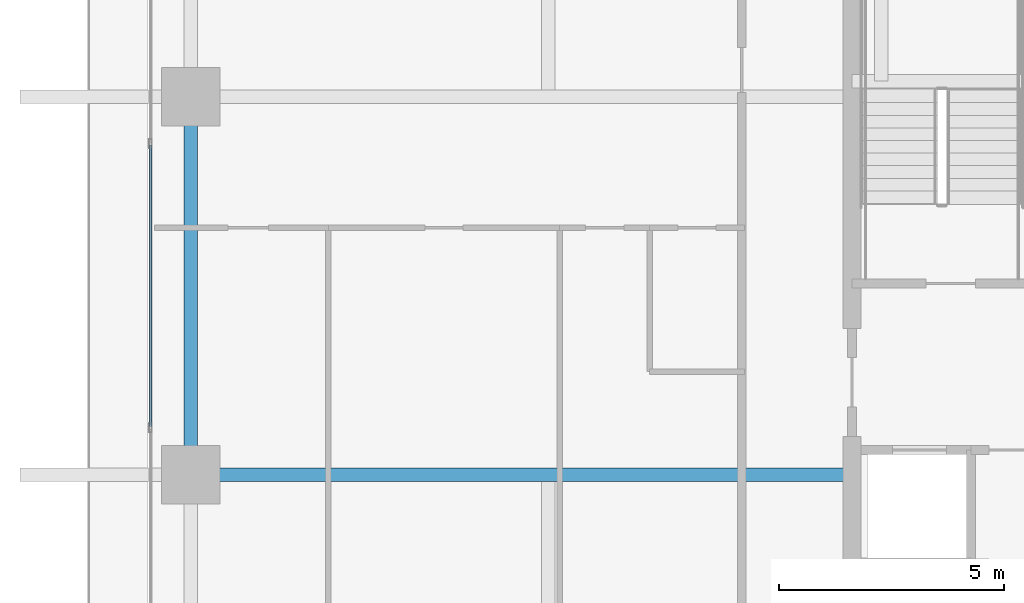
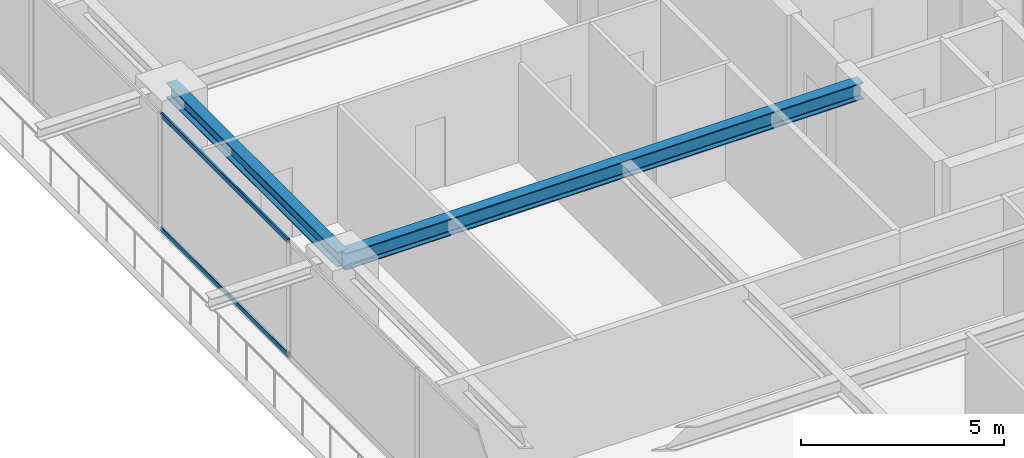
# One storey, part 7 of 34: 2 beams, 2 members, 1 element without a shape of its own.
"""IFC4 building model written with IfcOpenShell, lengths in metres."""

from ifc_helpers import new_model, si_unit, direction, frame, origin, origin_2d, place, context, subcontext, project, spatial, hollow_rectangle, i_section, extrude, source, transform, mapped, material, layer, layer_set, material_profile, profile_set, type_object, element, aggregate, save


model = new_model("IFC4")

# Units and contexts
model_context = context("Model", 3, precision=1e-05, world=origin(), true_north=direction((0.0, 1.0)))
body_context = subcontext(model_context, "Body", "Model", "MODEL_VIEW")
ifc_project = project(units=[si_unit("LENGTHUNIT", "METRE"), si_unit("AREAUNIT", "SQUARE_METRE"), si_unit("VOLUMEUNIT", "CUBIC_METRE"), si_unit("PLANEANGLEUNIT", "RADIAN"), si_unit("MASSUNIT", "GRAM", prefix="KILO")], contexts=[model_context])

# Site, building, storey
site_placement = place(None, origin())
site = spatial("IfcSite", under=ifc_project, at=site_placement, CompositionType="ELEMENT")
building_placement = place(site_placement, origin())
building = spatial("IfcBuilding", under=site, at=building_placement, Name="Serunith Strait Residences", CompositionType="ELEMENT")
storey_placement = place(building_placement, frame((0.0, 0.0, 135.14990234375)))
storey = spatial("IfcBuildingStorey", under=building, at=storey_placement, Name="L33", CompositionType="ELEMENT", Elevation=135.14990234375)

# Beams
ifc_material_1 = material(Name="Steel S355J2", Category="steel")
ifc_material_profile_1 = material_profile(ifc_material_1, i_section(OverallWidth=0.300048828125, OverallDepth=0.449951171875, WebThickness=0.013916015625, FlangeThickness=0.02587890625, FilletRadius=0.027099609375, at=origin_2d()), Name="HEB 450")
ifc_profile_set_1 = profile_set([ifc_material_profile_1], Name="Steel S355J2")
beam_type_1 = type_object("IfcBeamType", Name="BM-HEB450", PredefinedType="BEAM", material=ifc_profile_set_1)
shared_shape_1 = source(origin(), body_context, "Body", "SweptSolid", [
    extrude(i_section(OverallWidth=0.300048828125, OverallDepth=0.449951171875, WebThickness=0.013916015625, FlangeThickness=0.02587890625, FilletRadius=0.027099609375, at=origin_2d()), origin(), (0.0, 0.0, 1.0), 8.39990234375),
])
beam_1_placement = place(storey_placement, frame((8.699951171875, 29.39990234375, 3.26220703125), z_axis=(0.0, -1.0, 0.0), x_axis=(1.0, 0.0, 0.0)))
element("IfcBeam", 1, at=beam_1_placement, inside=storey, type_object=beam_type_1, Name="L33 Perimeter Ring Beam 14", PredefinedType="BEAM", context=body_context, shape_type="MappedRepresentation", body=[
    mapped(shared_shape_1, transform((0.0, 0.0, 0.0), scale=1.0)),
])
ifc_material_profile_2 = material_profile(ifc_material_1, i_section(OverallWidth=0.300048828125, OverallDepth=0.5, WebThickness=0.014404296875, FlangeThickness=0.028076171875, FilletRadius=0.027099609375, at=origin_2d()), Name="HEB 500")
ifc_profile_set_2 = profile_set([ifc_material_profile_2], Name="Steel S355J2")
beam_type_2 = type_object("IfcBeamType", Name="BM-HEB500", PredefinedType="BEAM", material=ifc_profile_set_2)
shared_shape_2 = source(origin(), body_context, "Body", "SweptSolid", [
    extrude(i_section(OverallWidth=0.300048828125, OverallDepth=0.5, WebThickness=0.014404296875, FlangeThickness=0.028076171875, FilletRadius=0.027099609375, at=origin_2d()), origin(), (0.0, 0.0, 1.0), 14.699951171875),
])
beam_2_placement = place(storey_placement, frame((23.39990234375, 21.0, 3.237060546875), z_axis=(-1.0, 0.0, 0.0), x_axis=(0.0, -1.0, 0.0)))
element("IfcBeam", 2, at=beam_2_placement, inside=storey, type_object=beam_type_2, Name="L33 Primary Floor Girder TC-W2", PredefinedType="BEAM", context=body_context, shape_type="MappedRepresentation", body=[
    mapped(shared_shape_2, transform((0.0, 0.0, 0.0), scale=1.0)),
])

# Curtain wall, members
ifc_material_2 = material(Name="Pale-Champagne Anodised Aluminium", Category="aluminium")
ifc_layer = layer(ifc_material_2, 0.199951171875, Name="Pale-Champagne Anodised Aluminium")
ifc_layer_set = layer_set([ifc_layer], Name="Pale-Champagne Anodised Aluminium")
curtain_wall_type = type_object("IfcCurtainWallType", Name="CW-SYS2", PredefinedType="NOTDEFINED", material=ifc_layer_set)
curtain_wall_placement = place(storey_placement, origin())
curtain_wall = element("IfcCurtainWall", 3, at=curtain_wall_placement, inside=storey, type_object=curtain_wall_type, Name="L33 W Unitised Fritted Curtain Wall", PredefinedType="NOTDEFINED")
ifc_material_profile_3 = material_profile(ifc_material_2, hollow_rectangle(XDim=0.06005859375, YDim=0.139892578125, WallThickness=0.00341796875, InnerFilletRadius=0.00537109375, OuterFilletRadius=0.0087890625, at=origin_2d()), Name="ALU 140x60x3.5")
ifc_profile_set_3 = profile_set([ifc_material_profile_3], Name="Pale-Champagne Anodised Aluminium")
member_type = type_object("IfcMemberType", Name="CW-SYS2-TRAN", PredefinedType="USERDEFINED", material=ifc_profile_set_3)
shared_shape_3 = source(origin(), body_context, "Body", "SweptSolid", [
    extrude(hollow_rectangle(XDim=0.06005859375, YDim=0.139892578125, WallThickness=0.00341796875, InnerFilletRadius=0.00537109375, OuterFilletRadius=0.0087890625, at=origin_2d()), origin(), (0.0, 0.0, 1.0), 6.25),
])
member_1_placement = place(storey_placement, frame((7.800048828125, 28.324951171875, 0.030029296875), z_axis=(0.0, -1.0, 0.0), x_axis=(1.0, 0.0, 0.0)))
member_1 = element("IfcMember", 4, at=member_1_placement, type_object=member_type, Name="CW-2 transom 3.1", ObjectType="TRANSOM", PredefinedType="USERDEFINED", context=body_context, shape_type="MappedRepresentation", body=[
    mapped(shared_shape_3, transform((0.0, 0.0, 0.0), scale=1.0)),
])
member_2_placement = place(storey_placement, frame((7.800048828125, 28.324951171875, 3.445068359375), z_axis=(0.0, -1.0, 0.0), x_axis=(1.0, 0.0, 0.0)))
member_2 = element("IfcMember", 5, at=member_2_placement, type_object=member_type, Name="CW-2 transom 3.2", ObjectType="TRANSOM", PredefinedType="USERDEFINED", context=body_context, shape_type="MappedRepresentation", body=[
    mapped(shared_shape_3, transform((0.0, 0.0, 0.0), scale=1.0)),
])
aggregate(curtain_wall, [member_1, member_2])

save(model, "model.ifc")
